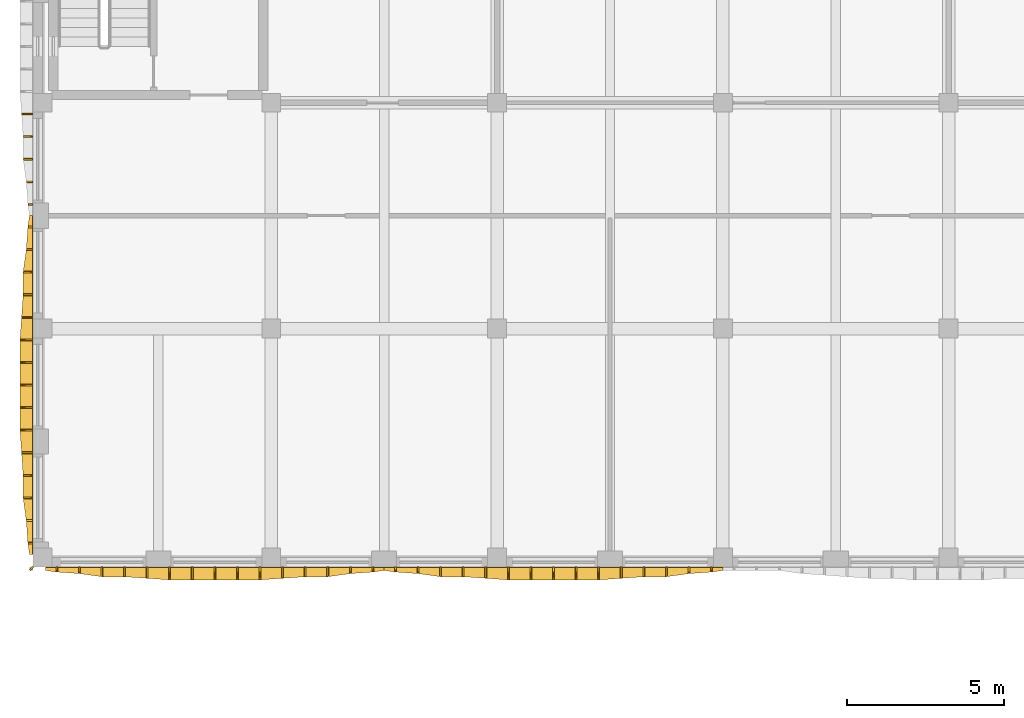
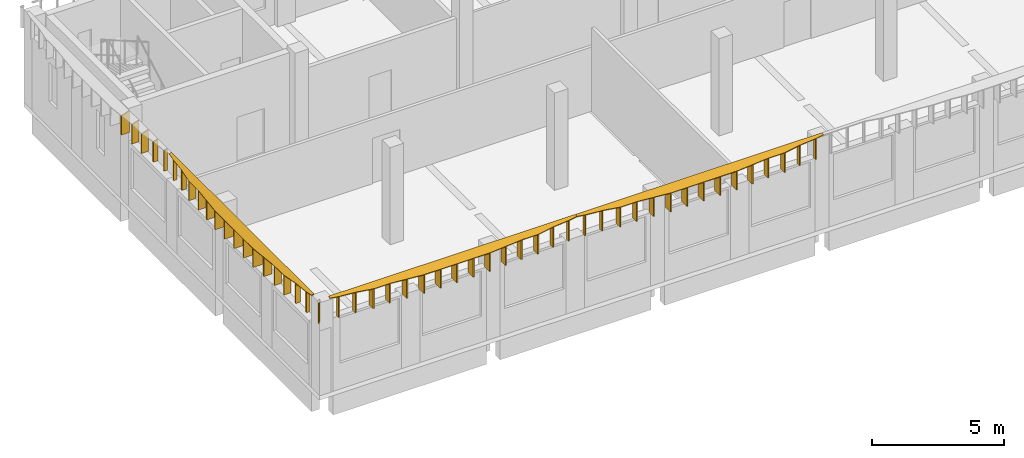
# One storey, part 24 of 38: 54 shading devices.
"""IFC4 building model written with IfcOpenShell, lengths in metres."""

from ifc_helpers import new_model, si_unit, direction, frame, origin, place, context, subcontext, project, spatial, polyline, outline, extrude, material, layer, layer_set, type_object, element, save


model = new_model("IFC4")

# Units and contexts
model_context = context("Model", 3, precision=1e-05, world=origin(), true_north=direction((0.0, 1.0)))
body_context = subcontext(model_context, "Body", "Model", "MODEL_VIEW")
ifc_project = project(units=[si_unit("LENGTHUNIT", "METRE"), si_unit("AREAUNIT", "SQUARE_METRE"), si_unit("VOLUMEUNIT", "CUBIC_METRE"), si_unit("PLANEANGLEUNIT", "RADIAN"), si_unit("MASSUNIT", "GRAM", prefix="KILO")], contexts=[model_context])

# Site, building, storey
site_placement = place(None, origin())
site = spatial("IfcSite", under=ifc_project, at=site_placement, CompositionType="ELEMENT")
building_placement = place(site_placement, origin())
building = spatial("IfcBuilding", under=site, at=building_placement, Name="Ussher Court Research Institute", CompositionType="ELEMENT")
storey_placement = place(building_placement, frame((0.0, 0.0, 23.39990234375)))
storey = spatial("IfcBuildingStorey", under=building, at=storey_placement, Name="L05", CompositionType="ELEMENT", Elevation=23.39990234375)

# Shading devices
ifc_material_1 = material(Name="Bronze anodised aluminium", Category="aluminium")
ifc_layer_1 = layer(ifc_material_1, 0.050048828125)
ifc_layer_set_1 = layer_set([ifc_layer_1], Name="Bronze anodised aluminium")
shading_device_type_1 = type_object("IfcShadingDeviceType", Name="Brim blade 150 mm deep 1000 mm high canted 20 deg dry", PredefinedType="USERDEFINED", material=ifc_layer_set_1)
for number, where, z_axis, x_axis, name in (
    (1, (24.239990234375, 68.39990234375, 3.4501953125), (0.0, 0.0, 1.0), (0.0, -1.0, 0.0), "Brim blade BS16 L05"),
    (2, (14.159912109375, 68.39990234375, 3.4501953125), (0.0, 0.0, 1.0), (0.0, -1.0, 0.0), "Brim blade BS16 L05"),
    (3, (13.43994140625, 68.39990234375, 3.4501953125), (0.0, 0.0, 1.0), (0.0, -1.0, 0.0), "Brim blade BS16 L05"),
    (4, (3.360107421875, 68.39990234375, 3.4501953125), (0.0, 0.0, 1.0), (0.0, -1.0, 0.0), "Brim blade BS16 L05"),
):
    element("IfcShadingDevice", number, at=place(storey_placement, frame(where, z_axis=z_axis, x_axis=x_axis)), inside=storey, type_object=shading_device_type_1, Name=name, ObjectType="BLADE", PredefinedType="USERDEFINED", context=body_context, shape_type="SweptSolid", body=[
        extrude(outline(polyline([(0.0, 0.0), (0.14990234375, 0.0), (0.14990234375, 0.9453125), (0.0, 1.0), (0.0, 0.0)])), frame((0.0, 0.02490234375, 0.0), z_axis=(0.0, -1.0, 0.0), x_axis=(1.0, 0.0, 0.0)), (0.0, 0.0, 1.0), 0.050048828125),
    ])
for number, where, z_axis, x_axis, name in (
    (5, (2.60009765625, 69.159912109375, 3.4501953125), (0.0, 0.0, 1.0), (-1.0, 0.0, 0.0), "Brim blade BS16 L05"),
    (6, (2.60009765625, 79.239990234375, 3.4501953125), (0.0, 0.0, 1.0), (-1.0, 0.0, 0.0), "Brim blade BS16 L05"),
    (7, (2.60009765625, 79.9599609375, 3.4501953125), (0.0, 0.0, 1.0), (-1.0, 0.0, 0.0), "Brim blade BS16 L05"),
):
    element("IfcShadingDevice", number, at=place(storey_placement, frame(where, z_axis=z_axis, x_axis=x_axis)), inside=storey, type_object=shading_device_type_1, Name=name, ObjectType="BLADE", PredefinedType="USERDEFINED", context=body_context, shape_type="SweptSolid", body=[
        extrude(outline(polyline([(0.0, 0.0), (0.150146484375, 0.0), (0.14990234375, 0.9453125), (0.0, 1.0), (0.0, 0.0)])), frame((0.0, 0.02490234375, 0.0), z_axis=(0.0, -1.0, 0.0), x_axis=(1.0, 0.0, 0.0)), (0.0, 0.0, 1.0), 0.050048828125),
    ])
ifc_material_2 = material(Name="Bronze anodised aluminium", Category="aluminium")
ifc_layer_2 = layer(ifc_material_2, 0.050048828125)
ifc_layer_set_2 = layer_set([ifc_layer_2], Name="Bronze anodised aluminium")
shading_device_type_2 = type_object("IfcShadingDeviceType", Name="Brim blade 200 mm deep 1000 mm high canted 20 deg dry", PredefinedType="USERDEFINED", material=ifc_layer_set_2)
for number, where, z_axis, x_axis, name in (
    (8, (23.52001953125, 68.39990234375, 3.4501953125), (0.0, 0.0, 1.0), (0.0, -1.0, 0.0), "Brim blade BS15 L05"),
    (9, (14.8798828125, 68.39990234375, 3.4501953125), (0.0, 0.0, 1.0), (0.0, -1.0, 0.0), "Brim blade BS15 L05"),
    (10, (12.719970703125, 68.39990234375, 3.4501953125), (0.0, 0.0, 1.0), (0.0, -1.0, 0.0), "Brim blade BS15 L05"),
    (11, (4.080078125, 68.39990234375, 3.4501953125), (0.0, 0.0, 1.0), (0.0, -1.0, 0.0), "Brim blade BS15 L05"),
):
    element("IfcShadingDevice", number, at=place(storey_placement, frame(where, z_axis=z_axis, x_axis=x_axis)), inside=storey, type_object=shading_device_type_2, Name=name, ObjectType="BLADE", PredefinedType="USERDEFINED", context=body_context, shape_type="SweptSolid", body=[
        extrude(outline(polyline([(0.0, 0.0), (0.199951171875, 0.0), (0.199951171875, 0.927001953125), (0.0, 1.0), (0.0, 0.0)])), frame((0.0, 0.02490234375, 0.0), z_axis=(0.0, -1.0, 0.0), x_axis=(1.0, 0.0, 0.0)), (0.0, 0.0, 1.0), 0.050048828125),
    ])
for number, where, z_axis, x_axis, name in (
    (12, (2.60009765625, 69.8798828125, 3.4501953125), (0.0, 0.0, 1.0), (-1.0, 0.0, 0.0), "Brim blade BS15 L05"),
    (13, (2.60009765625, 78.52001953125, 3.4501953125), (0.0, 0.0, 1.0), (-1.0, 0.0, 0.0), "Brim blade BS15 L05"),
    (14, (2.60009765625, 80.679931640625, 3.4501953125), (0.0, 0.0, 1.0), (-1.0, 0.0, 0.0), "Brim blade BS15 L05"),
):
    element("IfcShadingDevice", number, at=place(storey_placement, frame(where, z_axis=z_axis, x_axis=x_axis)), inside=storey, type_object=shading_device_type_2, Name=name, ObjectType="BLADE", PredefinedType="USERDEFINED", context=body_context, shape_type="SweptSolid", body=[
        extrude(outline(polyline([(0.0, 0.0), (0.2001953125, 0.0), (0.199951171875, 0.927001953125), (0.0, 1.0), (0.0, 0.0)])), frame((0.0, 0.02490234375, 0.0), z_axis=(0.0, -1.0, 0.0), x_axis=(1.0, 0.0, 0.0)), (0.0, 0.0, 1.0), 0.050048828125),
    ])
ifc_material_3 = material(Name="Bronze anodised aluminium", Category="aluminium")
ifc_layer_3 = layer(ifc_material_3, 0.050048828125)
ifc_layer_set_3 = layer_set([ifc_layer_3], Name="Bronze anodised aluminium")
shading_device_type_3 = type_object("IfcShadingDeviceType", Name="Brim blade 300 mm deep 1000 mm high canted 20 deg dry", PredefinedType="USERDEFINED", material=ifc_layer_set_3)
for number, where, z_axis, x_axis, name in (
    (15, (22.800048828125, 68.39990234375, 3.4501953125), (0.0, 0.0, 1.0), (0.0, -1.0, 0.0), "Brim blade BS13 L05"),
    (16, (22.080078125, 68.39990234375, 3.4501953125), (0.0, 0.0, 1.0), (0.0, -1.0, 0.0), "Brim blade BS13 L05"),
    (17, (16.320068359375, 68.39990234375, 3.4501953125), (0.0, 0.0, 1.0), (0.0, -1.0, 0.0), "Brim blade BS13 L05"),
    (18, (15.60009765625, 68.39990234375, 3.4501953125), (0.0, 0.0, 1.0), (0.0, -1.0, 0.0), "Brim blade BS13 L05"),
    (19, (12.0, 68.39990234375, 3.4501953125), (0.0, 0.0, 1.0), (0.0, -1.0, 0.0), "Brim blade BS13 L05"),
    (20, (11.280029296875, 68.39990234375, 3.4501953125), (0.0, 0.0, 1.0), (0.0, -1.0, 0.0), "Brim blade BS13 L05"),
    (21, (5.52001953125, 68.39990234375, 3.4501953125), (0.0, 0.0, 1.0), (0.0, -1.0, 0.0), "Brim blade BS13 L05"),
    (22, (4.800048828125, 68.39990234375, 3.4501953125), (0.0, 0.0, 1.0), (0.0, -1.0, 0.0), "Brim blade BS13 L05"),
):
    element("IfcShadingDevice", number, at=place(storey_placement, frame(where, z_axis=z_axis, x_axis=x_axis)), inside=storey, type_object=shading_device_type_3, Name=name, ObjectType="BLADE", PredefinedType="USERDEFINED", context=body_context, shape_type="SweptSolid", body=[
        extrude(outline(polyline([(0.0, 0.0), (0.2998046875, 0.0), (0.300048828125, 0.890625), (0.0, 1.0), (0.0, 0.0)])), frame((0.0, 0.02490234375, 0.0), z_axis=(0.0, -1.0, 0.0), x_axis=(1.0, 0.0, 0.0)), (0.0, 0.0, 1.0), 0.050048828125),
    ])
for number, where, z_axis, x_axis, name in (
    (23, (2.60009765625, 70.60009765625, 3.4501953125), (0.0, 0.0, 1.0), (-1.0, 0.0, 0.0), "Brim blade BS13 L05"),
    (24, (2.60009765625, 71.320068359375, 3.4501953125), (0.0, 0.0, 1.0), (-1.0, 0.0, 0.0), "Brim blade BS13 L05"),
    (25, (2.60009765625, 77.080078125, 3.4501953125), (0.0, 0.0, 1.0), (-1.0, 0.0, 0.0), "Brim blade BS13 L05"),
    (26, (2.60009765625, 77.800048828125, 3.4501953125), (0.0, 0.0, 1.0), (-1.0, 0.0, 0.0), "Brim blade BS13 L05"),
    (27, (2.60009765625, 81.39990234375, 3.4501953125), (0.0, 0.0, 1.0), (-1.0, 0.0, 0.0), "Brim blade BS13 L05"),
    (28, (2.60009765625, 82.1201171875, 3.4501953125), (0.0, 0.0, 1.0), (-1.0, 0.0, 0.0), "Brim blade BS13 L05"),
):
    element("IfcShadingDevice", number, at=place(storey_placement, frame(where, z_axis=z_axis, x_axis=x_axis)), inside=storey, type_object=shading_device_type_3, Name=name, ObjectType="BLADE", PredefinedType="USERDEFINED", context=body_context, shape_type="SweptSolid", body=[
        extrude(outline(polyline([(0.0, 0.0), (0.300048828125, 0.0), (0.300048828125, 0.890625), (0.0, 1.0), (0.0, 0.0)])), frame((0.0, 0.02490234375, 0.0), z_axis=(0.0, -1.0, 0.0), x_axis=(1.0, 0.0, 0.0)), (0.0, 0.0, 1.0), 0.050048828125),
    ])
ifc_material_4 = material(Name="Bronze anodised aluminium", Category="aluminium")
ifc_layer_4 = layer(ifc_material_4, 0.050048828125)
ifc_layer_set_4 = layer_set([ifc_layer_4], Name="Bronze anodised aluminium")
shading_device_type_4 = type_object("IfcShadingDeviceType", Name="Brim blade 350 mm deep 1000 mm high canted 20 deg dry", PredefinedType="USERDEFINED", material=ifc_layer_set_4)
for number, where, z_axis, x_axis, name in (
    (29, (21.360107421875, 68.39990234375, 3.4501953125), (0.0, 0.0, 1.0), (0.0, -1.0, 0.0), "Brim blade BS12 L05"),
    (30, (17.0400390625, 68.39990234375, 3.4501953125), (0.0, 0.0, 1.0), (0.0, -1.0, 0.0), "Brim blade BS12 L05"),
    (31, (10.56005859375, 68.39990234375, 3.4501953125), (0.0, 0.0, 1.0), (0.0, -1.0, 0.0), "Brim blade BS12 L05"),
    (32, (6.239990234375, 68.39990234375, 3.4501953125), (0.0, 0.0, 1.0), (0.0, -1.0, 0.0), "Brim blade BS12 L05"),
):
    element("IfcShadingDevice", number, at=place(storey_placement, frame(where, z_axis=z_axis, x_axis=x_axis)), inside=storey, type_object=shading_device_type_4, Name=name, ObjectType="BLADE", PredefinedType="USERDEFINED", context=body_context, shape_type="SweptSolid", body=[
        extrude(outline(polyline([(0.0, 0.0), (0.349853515625, 0.0), (0.35009765625, 0.87255859375), (0.0, 1.0), (0.0, 0.0)])), frame((0.0, 0.02490234375, 0.0), z_axis=(0.0, -1.0, 0.0), x_axis=(1.0, 0.0, 0.0)), (0.0, 0.0, 1.0), 0.050048828125),
    ])
for number, where, z_axis, x_axis, name in (
    (33, (2.60009765625, 72.0400390625, 3.4501953125), (0.0, 0.0, 1.0), (-1.0, 0.0, 0.0), "Brim blade BS12 L05"),
    (34, (2.60009765625, 76.360107421875, 3.4501953125), (0.0, 0.0, 1.0), (-1.0, 0.0, 0.0), "Brim blade BS12 L05"),
    (35, (2.60009765625, 82.840087890625, 3.4501953125), (0.0, 0.0, 1.0), (-1.0, 0.0, 0.0), "Brim blade BS12 L05"),
):
    element("IfcShadingDevice", number, at=place(storey_placement, frame(where, z_axis=z_axis, x_axis=x_axis)), inside=storey, type_object=shading_device_type_4, Name=name, ObjectType="BLADE", PredefinedType="USERDEFINED", context=body_context, shape_type="SweptSolid", body=[
        extrude(outline(polyline([(0.0, 0.0), (0.35009765625, 0.0), (0.35009765625, 0.87255859375), (0.0, 1.0), (0.0, 0.0)])), frame((0.0, 0.02490234375, 0.0), z_axis=(0.0, -1.0, 0.0), x_axis=(1.0, 0.0, 0.0)), (0.0, 0.0, 1.0), 0.050048828125),
    ])
ifc_material_5 = material(Name="Bronze anodised aluminium", Category="aluminium")
ifc_layer_5 = layer(ifc_material_5, 0.050048828125)
ifc_layer_set_5 = layer_set([ifc_layer_5], Name="Bronze anodised aluminium")
shading_device_type_5 = type_object("IfcShadingDeviceType", Name="Brim blade 400 mm deep 1000 mm high canted 20 deg dry", PredefinedType="USERDEFINED", material=ifc_layer_set_5)
for number, where, z_axis, x_axis, name in (
    (36, (20.639892578125, 68.39990234375, 3.4501953125), (0.0, 0.0, 1.0), (0.0, -1.0, 0.0), "Brim blade BS11 L05"),
    (37, (19.919921875, 68.39990234375, 3.4501953125), (0.0, 0.0, 1.0), (0.0, -1.0, 0.0), "Brim blade BS11 L05"),
    (38, (19.199951171875, 68.39990234375, 3.4501953125), (0.0, 0.0, 1.0), (0.0, -1.0, 0.0), "Brim blade BS11 L05"),
    (39, (18.47998046875, 68.39990234375, 3.4501953125), (0.0, 0.0, 1.0), (0.0, -1.0, 0.0), "Brim blade BS11 L05"),
    (40, (17.760009765625, 68.39990234375, 3.4501953125), (0.0, 0.0, 1.0), (0.0, -1.0, 0.0), "Brim blade BS11 L05"),
    (41, (9.840087890625, 68.39990234375, 3.4501953125), (0.0, 0.0, 1.0), (0.0, -1.0, 0.0), "Brim blade BS11 L05"),
    (42, (9.1201171875, 68.39990234375, 3.4501953125), (0.0, 0.0, 1.0), (0.0, -1.0, 0.0), "Brim blade BS11 L05"),
    (43, (8.39990234375, 68.39990234375, 3.4501953125), (0.0, 0.0, 1.0), (0.0, -1.0, 0.0), "Brim blade BS11 L05"),
    (44, (7.679931640625, 68.39990234375, 3.4501953125), (0.0, 0.0, 1.0), (0.0, -1.0, 0.0), "Brim blade BS11 L05"),
    (45, (6.9599609375, 68.39990234375, 3.4501953125), (0.0, 0.0, 1.0), (0.0, -1.0, 0.0), "Brim blade BS11 L05"),
):
    element("IfcShadingDevice", number, at=place(storey_placement, frame(where, z_axis=z_axis, x_axis=x_axis)), inside=storey, type_object=shading_device_type_5, Name=name, ObjectType="BLADE", PredefinedType="USERDEFINED", context=body_context, shape_type="SweptSolid", body=[
        extrude(outline(polyline([(0.0, 0.0), (0.39990234375, 0.0), (0.39990234375, 0.854248046875), (0.0, 1.0), (0.0, 0.0)])), frame((0.0, 0.02490234375, 0.0), z_axis=(0.0, -1.0, 0.0), x_axis=(1.0, 0.0, 0.0)), (0.0, 0.0, 1.0), 0.050048828125),
    ])
for number, where, z_axis, x_axis, name in (
    (46, (2.60009765625, 72.760009765625, 3.4501953125), (0.0, 0.0, 1.0), (-1.0, 0.0, 0.0), "Brim blade BS11 L05"),
    (47, (2.60009765625, 73.47998046875, 3.4501953125), (0.0, 0.0, 1.0), (-1.0, 0.0, 0.0), "Brim blade BS11 L05"),
    (48, (2.60009765625, 74.199951171875, 3.4501953125), (0.0, 0.0, 1.0), (-1.0, 0.0, 0.0), "Brim blade BS11 L05"),
    (49, (2.60009765625, 74.919921875, 3.4501953125), (0.0, 0.0, 1.0), (-1.0, 0.0, 0.0), "Brim blade BS11 L05"),
    (50, (2.60009765625, 75.639892578125, 3.4501953125), (0.0, 0.0, 1.0), (-1.0, 0.0, 0.0), "Brim blade BS11 L05"),
):
    element("IfcShadingDevice", number, at=place(storey_placement, frame(where, z_axis=z_axis, x_axis=x_axis)), inside=storey, type_object=shading_device_type_5, Name=name, ObjectType="BLADE", PredefinedType="USERDEFINED", context=body_context, shape_type="SweptSolid", body=[
        extrude(outline(polyline([(0.0, 0.0), (0.400146484375, 0.0), (0.39990234375, 0.854248046875), (0.0, 1.0), (0.0, 0.0)])), frame((0.0, 0.02490234375, 0.0), z_axis=(0.0, -1.0, 0.0), x_axis=(1.0, 0.0, 0.0)), (0.0, 0.0, 1.0), 0.050048828125),
    ])
ifc_material_6 = material(Name="Bronze anodised aluminium", Category="aluminium")
ifc_layer_6 = layer(ifc_material_6, 0.050048828125)
ifc_layer_set_6 = layer_set([ifc_layer_6], Name="Bronze anodised aluminium")
shading_device_type_6 = type_object("IfcShadingDeviceType", Name="Brim mitre blade 100 mm deep 1000 mm high canted 20 deg dry", PredefinedType="USERDEFINED", material=ifc_layer_set_6)
shading_device_1_placement = place(storey_placement, frame((2.60009765625, 68.39990234375, 3.4501953125), z_axis=(0.0, 0.0, 1.0), x_axis=(-0.707969631694, -0.706242876495, 0.0)))
element("IfcShadingDevice", 51, at=shading_device_1_placement, inside=storey, type_object=shading_device_type_6, Name="Brim mitre blade BS19 L05", ObjectType="BLADE", PredefinedType="USERDEFINED", context=body_context, shape_type="SweptSolid", body=[
    extrude(outline(polyline([(0.0, 0.0), (0.141357421875, 0.0), (0.141357421875, 0.927001953125), (0.0, 1.0), (0.0, 0.0)])), frame((0.0, 0.02490234375, 0.0), z_axis=(0.0, -1.0, 0.0), x_axis=(1.0, 0.0, 0.0)), (0.0, 0.0, 1.0), 0.050048828125),
])
ifc_material_7 = material(Name="Bronze anodised aluminium", Category="aluminium")
ifc_layer_7 = layer(ifc_material_7, 0.0400390625)
ifc_layer_set_7 = layer_set([ifc_layer_7], Name="Bronze anodised aluminium")
shading_device_type_7 = type_object("IfcShadingDeviceType", Name="Brim visor sheet 40 mm canted 20 deg dry", PredefinedType="USERDEFINED", material=ifc_layer_set_7)
shading_device_2_placement = place(storey_placement, frame((24.60009765625, 68.38623046875, 4.48779296875), z_axis=(0.0, -0.34247777449, 0.939525930446), x_axis=(-1.0, 0.0, 0.0)))
element("IfcShadingDevice", 52, at=shading_device_2_placement, inside=storey, type_object=shading_device_type_7, Name="Brim visor sheet BR2 L05", ObjectType="BRIM", PredefinedType="USERDEFINED", context=body_context, shape_type="SweptSolid", body=[
    extrude(outline(polyline([(0.0, 0.0), (10.800048828125, 0.0), (10.800048828125, 0.10627326512485698), (10.440185546875, 0.15956639228017316), (9.72021484375, 0.21285951943548934), (9.0, 0.31936216100820913), (8.280029296875, 0.31936216100820913), (7.56005859375, 0.37234229897774984), (6.840087890625, 0.42563542613306604), (6.1201171875, 0.42563542613306604), (5.400146484375, 0.42563542613306604), (4.68017578125, 0.42563542613306604), (3.960205078125, 0.42563542613306604), (3.239990234375, 0.37234229897774984), (2.52001953125, 0.31936216100820913), (1.800048828125, 0.31936216100820913), (1.080078125, 0.21285951943548934), (0.360107421875, 0.15956639228017316), (0.0, 0.10627326512485698), (0.0, 0.0)])), origin(), (0.0, 0.0, -1.0), 0.0400390625),
])
shading_device_3_placement = place(storey_placement, frame((13.800048828125, 68.38623046875, 4.48779296875), z_axis=(0.0, -0.342477773799, 0.939525930698), x_axis=(-1.0, 0.0, 0.0)))
element("IfcShadingDevice", 53, at=shading_device_3_placement, inside=storey, type_object=shading_device_type_7, Name="Brim visor sheet BR2 L05", ObjectType="BRIM", PredefinedType="USERDEFINED", context=body_context, shape_type="SweptSolid", body=[
    extrude(outline(polyline([(0.0, 0.0), (10.800048828125, 0.0), (10.800048828125, 0.10627326512487205), (10.43994140625, 0.1595663922801422), (9.719970703125, 0.21285951943541234), (9.0, 0.31936216100820863), (8.280029296875, 0.31936216100820863), (7.56005859375, 0.37234229897781057), (6.840087890625, 0.4256354261330807), (6.1201171875, 0.4256354261330807), (5.400146484375, 0.4256354261330807), (4.679931640625, 0.4256354261330807), (3.9599609375, 0.4256354261330807), (3.239990234375, 0.37234229897781057), (2.52001953125, 0.31936216100820863), (1.800048828125, 0.31936216100820863), (1.080078125, 0.21285951943541234), (0.360107421875, 0.1595663922801422), (0.0, 0.10627326512487205), (0.0, 0.0)])), origin(), (0.0, 0.0, -1.0), 0.0400390625),
])
shading_device_4_placement = place(storey_placement, frame((2.586181640625, 68.800048828125, 4.48779296875), z_axis=(-0.342542327923, 0.0, 0.939502396794), x_axis=(0.0, 1.0, 0.0)))
element("IfcShadingDevice", 54, at=shading_device_4_placement, inside=storey, type_object=shading_device_type_7, Name="Brim visor sheet BR2 L05", ObjectType="BRIM", PredefinedType="USERDEFINED", context=body_context, shape_type="SweptSolid", body=[
    extrude(outline(polyline([(0.0, 0.0), (10.800048828125, 0.0), (10.800048828125, 0.10627326346414724), (10.43994140625, 0.159566394796406), (9.719970703125, 0.2128595261286647), (9.0, 0.319132789592812), (8.280029296875, 0.319132789592812), (7.56005859375, 0.37234229242704264), (6.83984375, 0.4256354237593014), (6.119873046875, 0.4256354237593014), (5.39990234375, 0.4256354237593014), (4.679931640625, 0.4256354237593014), (3.9599609375, 0.4256354237593014), (3.239990234375, 0.37234229242704264), (2.52001953125, 0.319132789592812), (1.800048828125, 0.319132789592812), (1.079833984375, 0.2128595261286647), (0.35986328125, 0.159566394796406), (0.0, 0.10627326346414724), (0.0, 0.0)])), origin(), (0.0, 0.0, -1.0), 0.0400390625),
])

save(model, "model.ifc")
